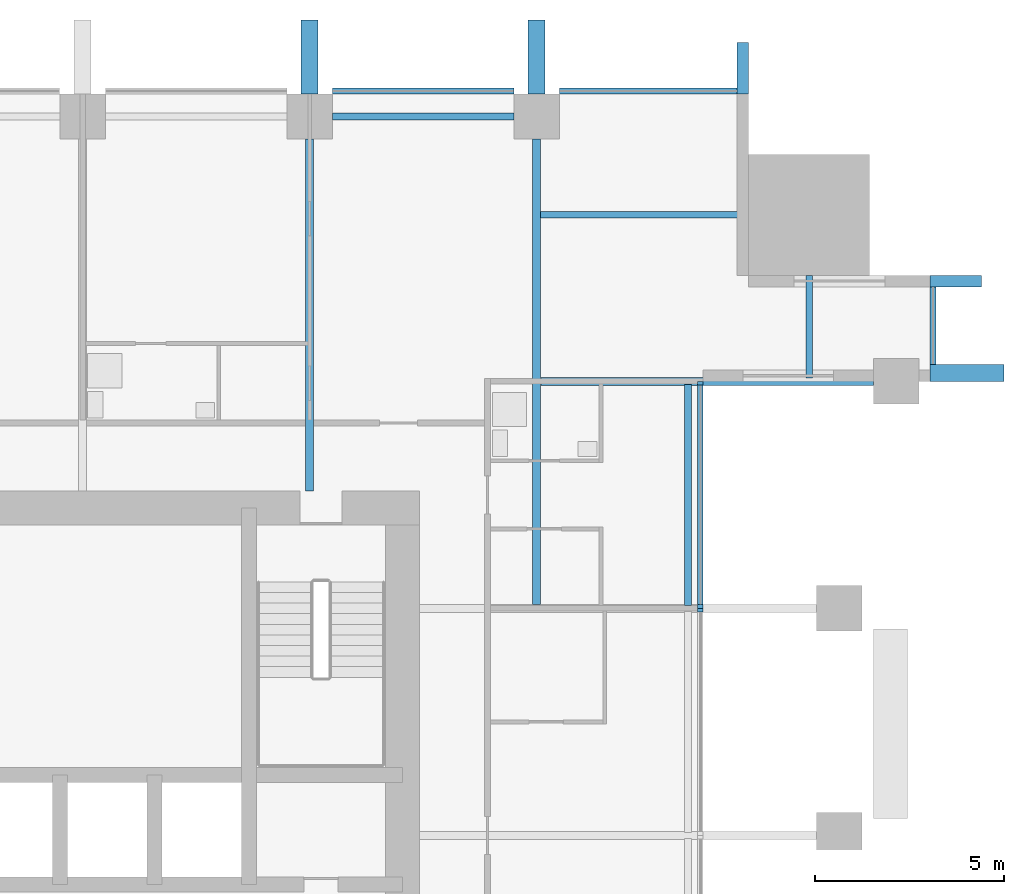
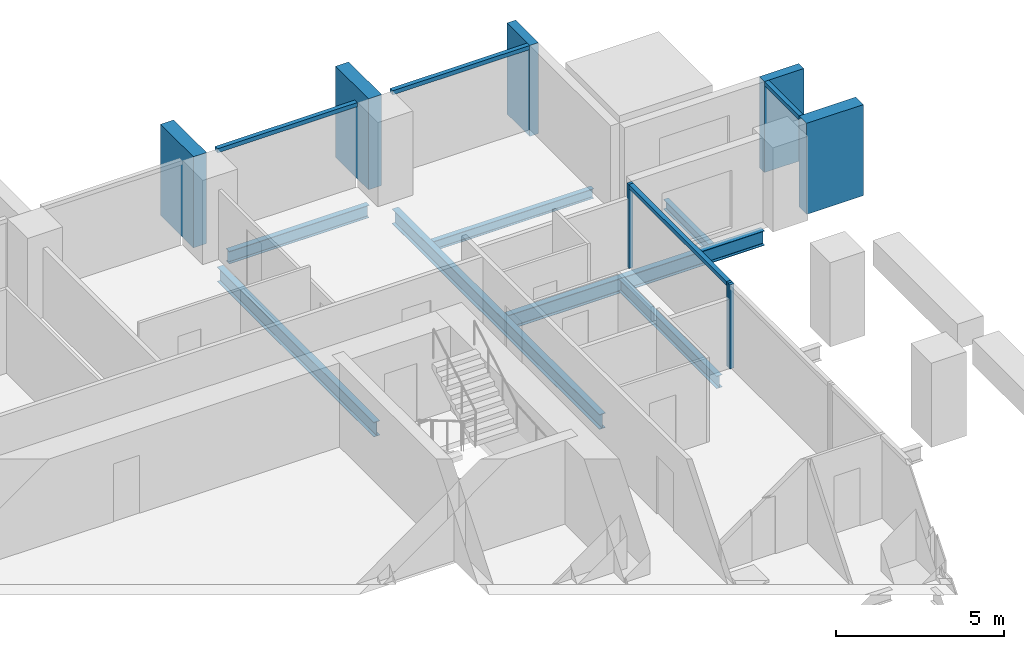
# One storey, part 5 of 13: 12 members, 7 beams, 4 elements without a shape of their own.
"""IFC4 building model written with IfcOpenShell, lengths in metres."""

from ifc_helpers import new_model, si_unit, direction, frame, origin, origin_2d, place, context, subcontext, project, spatial, rectangle, i_section, extrude, material, material_profile, profile_set, type_object, element, aggregate, save


model = new_model("IFC4")

# Units and contexts
model_context = context("Model", 3, precision=1e-05, world=origin(), true_north=direction((0.0, 1.0)))
body_context = subcontext(model_context, "Body", "Model", "MODEL_VIEW")
ifc_project = project(units=[si_unit("LENGTHUNIT", "METRE"), si_unit("AREAUNIT", "SQUARE_METRE"), si_unit("VOLUMEUNIT", "CUBIC_METRE"), si_unit("PLANEANGLEUNIT", "RADIAN"), si_unit("MASSUNIT", "GRAM", prefix="KILO")], contexts=[model_context])

# Site, building, storey
site_placement = place(None, origin())
site = spatial("IfcSite", under=ifc_project, at=site_placement, CompositionType="ELEMENT")
building_placement = place(site_placement, origin())
building = spatial("IfcBuilding", under=site, at=building_placement, Name="Amberfall Residences", CompositionType="ELEMENT")
storey_placement = place(building_placement, frame((0.0, 0.0, 56.5)))
storey = spatial("IfcBuildingStorey", under=building, at=storey_placement, Name="L15", CompositionType="ELEMENT", Elevation=56.5)

# Curtain wall, member
ifc_material_1 = material(Name="Bronze anodised aluminium and glass", Category="aluminium")
curtain_wall_type_1 = type_object("IfcCurtainWallType", Name="Curtain wall CW1 tower unit", PredefinedType="USERDEFINED", material=ifc_material_1)
curtain_wall_1_placement = place(storey_placement, origin())
curtain_wall_1 = element("IfcCurtainWall", 1, at=curtain_wall_1_placement, inside=storey, type_object=curtain_wall_type_1, Name="Curtain wall L15 E E9", ObjectType="UNITISED CURTAIN WALL", PredefinedType="USERDEFINED")
ifc_material_2 = material(Name="Bronze anodised aluminium", Category="aluminium")
ifc_material_profile_1 = material_profile(ifc_material_2, rectangle(XDim=0.14990234375, YDim=0.14990234375, at=origin_2d()), Name="CW1 transom 150 x 150 bronze")
ifc_profile_set_1 = profile_set([ifc_material_profile_1], Name="Bronze anodised aluminium")
member_type_1 = type_object("IfcMemberType", Name="CW1 transom 150 x 150 bronze", PredefinedType="USERDEFINED", material=ifc_profile_set_1)
member_1_placement = place(storey_placement, frame((100.074951171875, 60.85009765625, 2.97509765625), z_axis=(0.0, 1.0, 0.0), x_axis=(-1.0, 0.0, 0.0)))
member_1 = element("IfcMember", 2, at=member_1_placement, type_object=member_type_1, Name="CW1 transom 1.1", ObjectType="TRANSOM", PredefinedType="USERDEFINED", context=body_context, shape_type="SweptSolid", body=[
    extrude(rectangle(XDim=0.14990234375, YDim=0.14990234375, at=origin_2d()), origin(), (0.0, 0.0, 1.0), 2.0498046875),
])

# Curtain wall, members
curtain_wall_2_placement = place(storey_placement, origin())
curtain_wall_2 = element("IfcCurtainWall", 3, at=curtain_wall_2_placement, inside=storey, type_object=curtain_wall_type_1, Name="Curtain wall L15 N N1", ObjectType="UNITISED CURTAIN WALL", PredefinedType="USERDEFINED")
member_2_placement = place(storey_placement, frame((94.89990234375, 68.074951171875, 2.97509765625), z_axis=(-1.0, 0.0, 0.0), x_axis=(0.0, -1.0, 0.0)))
member_2 = element("IfcMember", 4, at=member_2_placement, type_object=member_type_1, Name="CW1 transom 1.1", ObjectType="TRANSOM", PredefinedType="USERDEFINED", context=body_context, shape_type="SweptSolid", body=[
    extrude(rectangle(XDim=0.14990234375, YDim=0.14990234375, at=origin_2d()), origin(), (0.0, 0.0, 1.0), 4.69482421875),
])
member_3_placement = place(storey_placement, frame((88.9951171875, 68.074951171875, 2.97509765625), z_axis=(-1.0, 0.0, 0.0), x_axis=(0.0, -1.0, 0.0)))
member_3 = element("IfcMember", 5, at=member_3_placement, type_object=member_type_1, Name="CW1 transom 2.1", ObjectType="TRANSOM", PredefinedType="USERDEFINED", context=body_context, shape_type="SweptSolid", body=[
    extrude(rectangle(XDim=0.14990234375, YDim=0.14990234375, at=origin_2d()), origin(), (0.0, 0.0, 1.0), 4.7900390625),
])

# Curtain wall, member
curtain_wall_type_2 = type_object("IfcCurtainWallType", Name="Curtain wall CW3 sky garden glazing", PredefinedType="USERDEFINED", material=ifc_material_1)
curtain_wall_3_placement = place(storey_placement, origin())
curtain_wall_3 = element("IfcCurtainWall", 6, at=curtain_wall_3_placement, inside=storey, type_object=curtain_wall_type_2, Name="Curtain wall L15 E E6", ObjectType="UNITISED CURTAIN WALL", PredefinedType="USERDEFINED")
ifc_material_profile_2 = material_profile(ifc_material_2, rectangle(XDim=0.14990234375, YDim=0.10009765625, at=origin_2d()), Name="CW3 mullion 100 x 150 bronze")
ifc_profile_set_2 = profile_set([ifc_material_profile_2], Name="Bronze anodised aluminium")
member_type_2 = type_object("IfcMemberType", Name="CW3 mullion 100 x 150 bronze", PredefinedType="MULLION", material=ifc_profile_set_2)
member_4_placement = place(storey_placement, frame((93.925048828125, 54.35009765625, 0.0), z_axis=(0.0, 0.0, 1.0), x_axis=(-1.0, 0.0, 0.0)))
member_4 = element("IfcMember", 7, at=member_4_placement, type_object=member_type_2, Name="CW3 mullion 2", PredefinedType="MULLION", context=body_context, shape_type="SweptSolid", body=[
    extrude(rectangle(XDim=0.14990234375, YDim=0.10009765625, at=origin_2d()), origin(), (0.0, 0.0, 1.0), 3.050048828125),
])
aggregate(curtain_wall_3, [member_4])

# Curtain wall, members
curtain_wall_4_placement = place(storey_placement, origin())
curtain_wall_4 = element("IfcCurtainWall", 8, at=curtain_wall_4_placement, inside=storey, type_object=curtain_wall_type_2, Name="Curtain wall L15 E E7", ObjectType="UNITISED CURTAIN WALL", PredefinedType="USERDEFINED")
member_5_placement = place(storey_placement, frame((93.925048828125, 54.449951171875, 0.0), z_axis=(0.0, 0.0, 1.0), x_axis=(-1.0, 0.0, 0.0)))
member_5 = element("IfcMember", 9, at=member_5_placement, type_object=member_type_2, Name="CW3 mullion 1", PredefinedType="MULLION", context=body_context, shape_type="SweptSolid", body=[
    extrude(rectangle(XDim=0.14990234375, YDim=0.10009765625, at=origin_2d()), origin(), (0.0, 0.0, 1.0), 3.050048828125),
])
member_6_placement = place(storey_placement, frame((93.925048828125, 60.35009765625, 0.0), z_axis=(0.0, 0.0, 1.0), x_axis=(-1.0, 0.0, 0.0)))
member_6 = element("IfcMember", 10, at=member_6_placement, type_object=member_type_2, Name="CW3 mullion 2", PredefinedType="MULLION", context=body_context, shape_type="SweptSolid", body=[
    extrude(rectangle(XDim=0.14990234375, YDim=0.10009765625, at=origin_2d()), origin(), (0.0, 0.0, 1.0), 3.050048828125),
])
ifc_material_profile_3 = material_profile(ifc_material_2, rectangle(XDim=0.14990234375, YDim=0.14990234375, at=origin_2d()), Name="CW3 transom 150 x 150 bronze")
ifc_profile_set_3 = profile_set([ifc_material_profile_3], Name="Bronze anodised aluminium")
member_type_3 = type_object("IfcMemberType", Name="CW3 transom 150 x 150 bronze", PredefinedType="USERDEFINED", material=ifc_profile_set_3)
member_7_placement = place(storey_placement, frame((93.925048828125, 54.5, 2.97509765625), z_axis=(0.0, 1.0, 0.0), x_axis=(-1.0, 0.0, 0.0)))
member_7 = element("IfcMember", 11, at=member_7_placement, type_object=member_type_3, Name="CW3 transom 1.1", ObjectType="TRANSOM", PredefinedType="USERDEFINED", context=body_context, shape_type="SweptSolid", body=[
    extrude(rectangle(XDim=0.14990234375, YDim=0.14990234375, at=origin_2d()), origin(), (0.0, 0.0, 1.0), 5.800048828125),
])
aggregate(curtain_wall_4, [member_5, member_6, member_7])

# Member
ifc_material_profile_4 = material_profile(ifc_material_2, rectangle(XDim=1.35009765625, YDim=0.300048828125, at=origin_2d()), Name="Corner fin 300 x 1350 bronze")
ifc_profile_set_4 = profile_set([ifc_material_profile_4], Name="Bronze anodised aluminium")
member_type_4 = type_object("IfcMemberType", Name="Corner fin 300 x 1350 bronze", PredefinedType="MULLION", material=ifc_profile_set_4)
member_8_placement = place(storey_placement, frame((100.675048828125, 63.050048828125, -0.25), z_axis=(0.0, 0.0, 1.0), x_axis=(-1.0, 0.0, 0.0)))
member_8 = element("IfcMember", 12, at=member_8_placement, type_object=member_type_4, Name="CW FIN 2", PredefinedType="MULLION", context=body_context, shape_type="SweptSolid", body=[
    extrude(rectangle(XDim=1.35009765625, YDim=0.300048828125, at=origin_2d()), origin(), (0.0, 0.0, 1.0), 3.300048828125),
])

member_9_placement = place(storey_placement, frame((95.050048828125, 68.675048828125, -0.25), z_axis=(0.0, 0.0, 1.0), x_axis=(0.0, -1.0, 0.0)))
member_9 = element("IfcMember", 13, at=member_9_placement, type_object=member_type_4, Name="CW FIN 1", PredefinedType="MULLION", context=body_context, shape_type="SweptSolid", body=[
    extrude(rectangle(XDim=1.35009765625, YDim=0.300048828125, at=origin_2d()), origin(), (0.0, 0.0, 1.0), 3.300048828125),
])

# Beams
ifc_material_3 = material(Name="Steel S355", Category="steel")
ifc_material_profile_5 = material_profile(ifc_material_3, i_section(OverallWidth=0.18994140625, OverallDepth=0.453369140625, WebThickness=0.008544921875, FlangeThickness=0.0126953125, FilletRadius=0.01025390625, at=origin_2d()), Name="UB 457x191x67")
ifc_profile_set_5 = profile_set([ifc_material_profile_5], Name="Steel S355")
beam_type_1 = type_object("IfcBeamType", Name="Edge beam UB 457x191x67", PredefinedType="SPANDREL", material=ifc_profile_set_5)
beam_1_placement = place(storey_placement, frame((93.60009765625, 54.47998046875, -0.476806640625), z_axis=(0.0, 1.0, 0.0), x_axis=(-1.0, 0.0, 0.0)))
element("IfcBeam", 14, at=beam_1_placement, inside=storey, type_object=beam_type_1, Name="Edge beam B1 L15 16", PredefinedType="SPANDREL", context=body_context, shape_type="SweptSolid", body=[
    extrude(i_section(OverallWidth=0.18994140625, OverallDepth=0.453369140625, WebThickness=0.008544921875, FlangeThickness=0.0126953125, FilletRadius=0.01025390625, at=origin_2d()), origin(), (0.0, 0.0, 1.0), 5.840087890625),
])
beam_2_placement = place(storey_placement, frame((84.199951171875, 67.39990234375, -0.476806640625), z_axis=(1.0, 0.0, 0.0), x_axis=(0.0, 1.0, 0.0)))
element("IfcBeam", 15, at=beam_2_placement, inside=storey, type_object=beam_type_1, Name="Edge beam B1 L15 27", PredefinedType="SPANDREL", context=body_context, shape_type="SweptSolid", body=[
    extrude(i_section(OverallWidth=0.18994140625, OverallDepth=0.453369140625, WebThickness=0.008544921875, FlangeThickness=0.0126953125, FilletRadius=0.01025390625, at=origin_2d()), origin(), (0.0, 0.0, 1.0), 4.800048828125),
])

# Member
ifc_material_profile_6 = material_profile(ifc_material_2, rectangle(XDim=1.949951171875, YDim=0.449951171875, at=origin_2d()), Name="Fin 450 x 1950 bronze")
ifc_profile_set_6 = profile_set([ifc_material_profile_6], Name="Bronze anodised aluminium")
member_type_5 = type_object("IfcMemberType", Name="Fin 450 x 1950 bronze", PredefinedType="MULLION", material=ifc_profile_set_6)
member_10_placement = place(storey_placement, frame((100.97509765625, 60.625, -0.25), z_axis=(0.0, 0.0, 1.0), x_axis=(-1.0, 0.0, 0.0)))
member_10 = element("IfcMember", 16, at=member_10_placement, type_object=member_type_5, Name="CW FIN 1", PredefinedType="MULLION", context=body_context, shape_type="SweptSolid", body=[
    extrude(rectangle(XDim=1.949951171875, YDim=0.449951171875, at=origin_2d()), origin(), (0.0, 0.0, 1.0), 3.300048828125),
])

aggregate(curtain_wall_1, [member_10, member_8, member_1])

member_11_placement = place(storey_placement, frame((89.60009765625, 68.97509765625, -0.25), z_axis=(0.0, 0.0, 1.0), x_axis=(0.0, -1.0, 0.0)))
member_11 = element("IfcMember", 17, at=member_11_placement, type_object=member_type_5, Name="CW FIN 2", PredefinedType="MULLION", context=body_context, shape_type="SweptSolid", body=[
    extrude(rectangle(XDim=1.949951171875, YDim=0.449951171875, at=origin_2d()), origin(), (0.0, 0.0, 1.0), 3.300048828125),
])

member_12_placement = place(storey_placement, frame((83.60009765625, 68.97509765625, -0.25), z_axis=(0.0, 0.0, 1.0), x_axis=(0.0, -1.0, 0.0)))
member_12 = element("IfcMember", 18, at=member_12_placement, type_object=member_type_5, Name="CW FIN 3", PredefinedType="MULLION", context=body_context, shape_type="SweptSolid", body=[
    extrude(rectangle(XDim=1.949951171875, YDim=0.449951171875, at=origin_2d()), origin(), (0.0, 0.0, 1.0), 3.300048828125),
])

aggregate(curtain_wall_2, [member_9, member_11, member_12, member_2, member_3])

# Beams
ifc_material_profile_7 = material_profile(ifc_material_3, i_section(OverallWidth=0.210693359375, OverallDepth=0.53955078125, WebThickness=0.01171875, FlangeThickness=0.018798828125, FilletRadius=0.0126953125, at=origin_2d()), Name="UB 533x210x109")
ifc_profile_set_7 = profile_set([ifc_material_profile_7], Name="Steel S355")
beam_type_2 = type_object("IfcBeamType", Name="Floor girder UB 533x210x109", PredefinedType="BEAM", material=ifc_profile_set_7)
beam_3_placement = place(storey_placement, frame((89.60009765625, 66.800048828125, -0.519775390625), z_axis=(0.0, -1.0, 0.0), x_axis=(1.0, 0.0, 0.0)))
element("IfcBeam", 19, at=beam_3_placement, inside=storey, type_object=beam_type_2, Name="Floor girder B2 L15 33", PredefinedType="BEAM", context=body_context, shape_type="SweptSolid", body=[
    extrude(i_section(OverallWidth=0.210693359375, OverallDepth=0.53955078125, WebThickness=0.01171875, FlangeThickness=0.018798828125, FilletRadius=0.0126953125, at=origin_2d()), origin(), (0.0, 0.0, 1.0), 12.300537109375),
])
ifc_material_profile_8 = material_profile(ifc_material_3, i_section(OverallWidth=0.209228515625, OverallDepth=0.533203125, WebThickness=0.010009765625, FlangeThickness=0.015625, FilletRadius=0.0126953125, at=origin_2d()), Name="UB 533x210x92")
ifc_profile_set_8 = profile_set([ifc_material_profile_8], Name="Steel S355")
beam_type_3 = type_object("IfcBeamType", Name="Floor girder UB 533x210x92", PredefinedType="BEAM", material=ifc_profile_set_8)
beam_4_placement = place(storey_placement, frame((98.5, 60.39990234375, -0.5166015625), z_axis=(-1.0, 0.0, 0.0), x_axis=(0.0, -1.0, 0.0)))
element("IfcBeam", 20, at=beam_4_placement, inside=storey, type_object=beam_type_3, Name="Floor girder B3 L15 22", PredefinedType="BEAM", context=body_context, shape_type="SweptSolid", body=[
    extrude(i_section(OverallWidth=0.209228515625, OverallDepth=0.533203125, WebThickness=0.010009765625, FlangeThickness=0.015625, FilletRadius=0.0126953125, at=origin_2d()), origin(), (0.0, 0.0, 1.0), 8.780029296875),
])
beam_5_placement = place(storey_placement, frame((83.60009765625, 66.800048828125, -0.5166015625), z_axis=(0.0, -1.0, 0.0), x_axis=(1.0, 0.0, 0.0)))
element("IfcBeam", 21, at=beam_5_placement, inside=storey, type_object=beam_type_3, Name="Floor girder B3 L15 32", PredefinedType="BEAM", context=body_context, shape_type="SweptSolid", body=[
    extrude(i_section(OverallWidth=0.209228515625, OverallDepth=0.533203125, WebThickness=0.010009765625, FlangeThickness=0.015625, FilletRadius=0.0126953125, at=origin_2d()), origin(), (0.0, 0.0, 1.0), 9.300048828125),
])
ifc_material_profile_9 = material_profile(ifc_material_3, i_section(OverallWidth=0.171142578125, OverallDepth=0.351318359375, WebThickness=0.007080078125, FlangeThickness=0.009765625, FilletRadius=0.01025390625, at=origin_2d()), Name="UB 356x171x45")
ifc_profile_set_9 = profile_set([ifc_material_profile_9], Name="Steel S355")
beam_type_4 = type_object("IfcBeamType", Name="Link beam UB 356x171x45", PredefinedType="BEAM", material=ifc_profile_set_9)
beam_6_placement = place(storey_placement, frame((95.199951171875, 64.800048828125, -0.42578125), z_axis=(-1.0, 0.0, 0.0), x_axis=(0.0, -1.0, 0.0)))
element("IfcBeam", 22, at=beam_6_placement, inside=storey, type_object=beam_type_4, Name="Link beam B7 L15 49", PredefinedType="BEAM", context=body_context, shape_type="SweptSolid", body=[
    extrude(i_section(OverallWidth=0.171142578125, OverallDepth=0.351318359375, WebThickness=0.007080078125, FlangeThickness=0.009765625, FilletRadius=0.01025390625, at=origin_2d()), origin(), (0.0, 0.0, 1.0), 5.504638671875),
])
beam_7_placement = place(storey_placement, frame((96.800048828125, 63.199951171875, -0.42578125), z_axis=(0.0, -1.0, 0.0), x_axis=(1.0, 0.0, 0.0)))
element("IfcBeam", 23, at=beam_7_placement, inside=storey, type_object=beam_type_4, Name="Link beam B7 L15 50", PredefinedType="BEAM", context=body_context, shape_type="SweptSolid", body=[
    extrude(i_section(OverallWidth=0.171142578125, OverallDepth=0.351318359375, WebThickness=0.007080078125, FlangeThickness=0.009765625, FilletRadius=0.01025390625, at=origin_2d()), origin(), (0.0, 0.0, 1.0), 2.705322265625),
])

save(model, "model.ifc")
